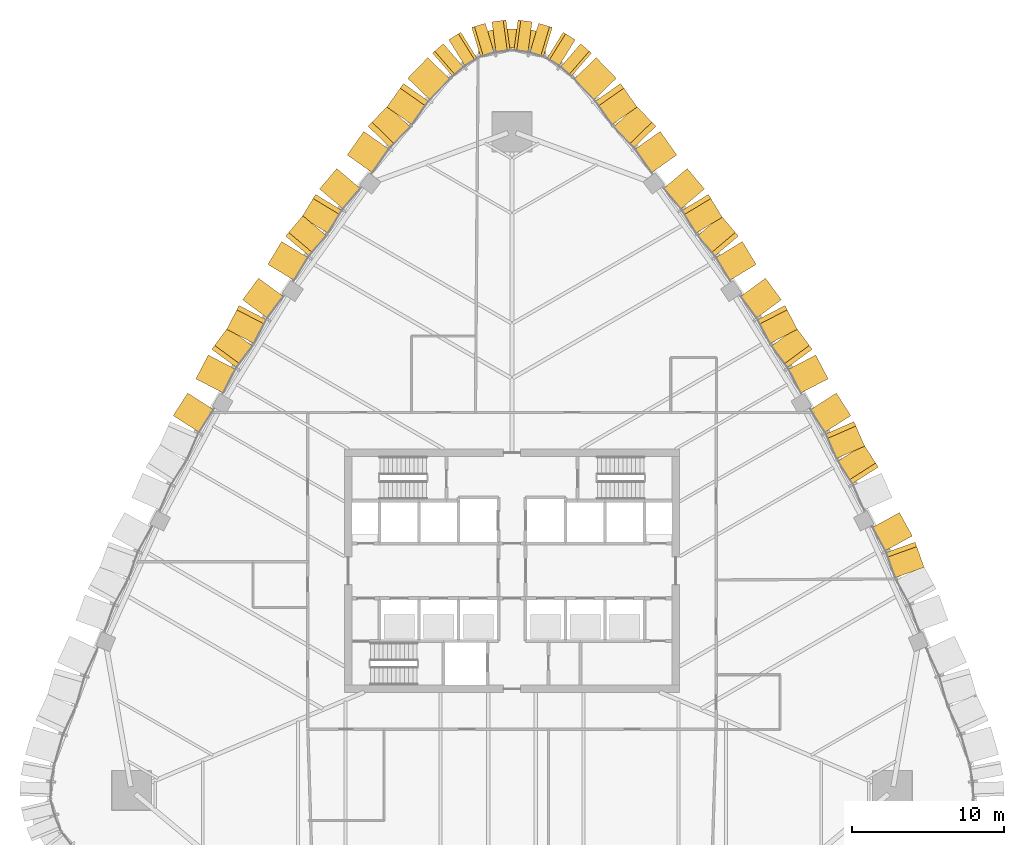
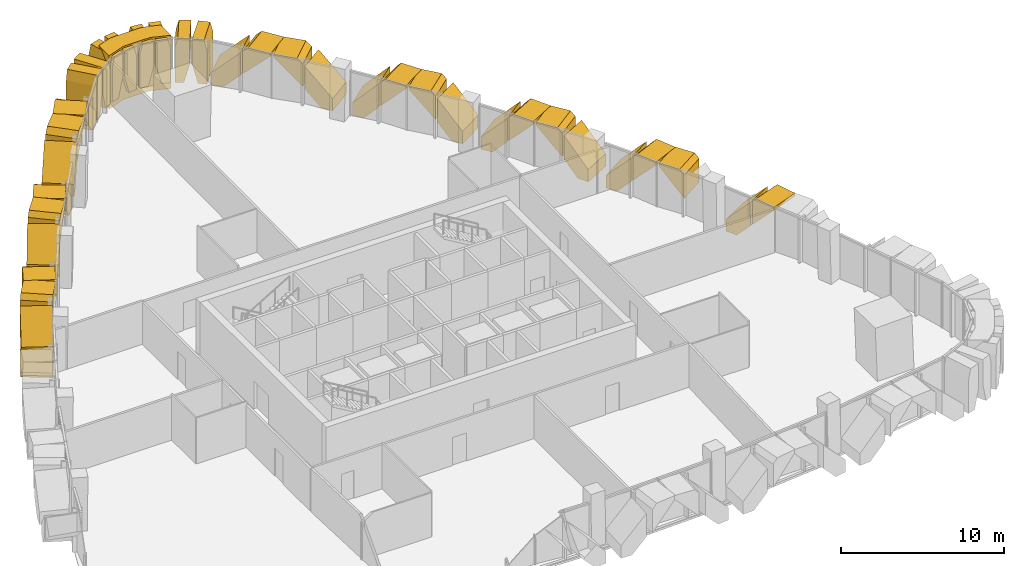
# One storey, part 17 of 18: 39 coverings.
"""IFC4 building model written with IfcOpenShell, lengths in metres."""

from ifc_helpers import new_model, si_unit, direction, frame, origin, place, context, subcontext, project, spatial, polyline, outline, extrude, material, layer, layer_set, type_object, element, save


model = new_model("IFC4")

# Units and contexts
model_context = context("Model", 3, precision=1e-05, world=origin(), true_north=direction((0.0, 1.0)))
body_context = subcontext(model_context, "Body", "Model", "MODEL_VIEW")
ifc_project = project(units=[si_unit("LENGTHUNIT", "METRE"), si_unit("AREAUNIT", "SQUARE_METRE"), si_unit("VOLUMEUNIT", "CUBIC_METRE"), si_unit("PLANEANGLEUNIT", "RADIAN"), si_unit("MASSUNIT", "GRAM", prefix="KILO")], contexts=[model_context])

# Site, building, storey
site_placement = place(None, origin())
site = spatial("IfcSite", under=ifc_project, at=site_placement, CompositionType="ELEMENT")
building_placement = place(site_placement, origin())
building = spatial("IfcBuilding", under=site, at=building_placement, Name="Sierra Prisma Convention Tower", CompositionType="ELEMENT")
storey_placement = place(building_placement, frame((0.0, 0.0, 129.800048828125)))
storey = spatial("IfcBuildingStorey", under=building, at=storey_placement, Name="L27", CompositionType="ELEMENT", Elevation=129.800048828125)

# Coverings
ifc_material_1 = material(Name="Aluminium composite bronze anodised", Category="aluminium")
ifc_layer_1 = layer(ifc_material_1, 1.199951171875)
ifc_layer_set_1 = layer_set([ifc_layer_1], Name="Bronze corner pier")
covering_type_1 = type_object("IfcCoveringType", Name="Bronze corner pier", PredefinedType="CLADDING", material=ifc_layer_set_1)
covering_1_placement = place(storey_placement, frame((0.0, 0.0, -0.60009765625)))
element("IfcCovering", 1, at=covering_1_placement, inside=storey, type_object=covering_type_1, Name="Corner pier N L27.1", PredefinedType="CLADDING", context=body_context, shape_type="SweptSolid", body=[
    extrude(outline(polyline([(-1.342041015625, 35.5), (-0.943603515625, 35.568115234375), (0.943603515625, 35.568115234375), (1.342041015625, 35.5), (2.199951171875, 35.19775390625), (2.199951171875, 33.925537109375), (0.943603515625, 34.3681640625), (-0.943603515625, 34.3681640625), (-2.199951171875, 33.925537109375), (-2.199951171875, 35.19775390625), (-1.342041015625, 35.5)])), origin(), (0.0, 0.0, 1.0), 4.0),
])
ifc_material_2 = material(Name="Aluminium 6063-T6 bronze anodised", Category="aluminium")
ifc_layer_2 = layer(ifc_material_2, 2.0)
ifc_layer_set_2 = layer_set([ifc_layer_2], Name="Bronze crystal chevron frame")
covering_type_2 = type_object("IfcCoveringType", Name="Bronze crystal chevron frame", PredefinedType="CLADDING", material=ifc_layer_set_2)
covering_2_placement = place(storey_placement, frame((27.051513671875, 0.23388671875, 3.280029296875), z_axis=(0.941174869557, 0.337919907883, -2.7778389e-05), x_axis=(-2.6144321e-05, -9.386871e-06, -0.999999999614)))
element("IfcCovering", 2, at=covering_2_placement, inside=storey, type_object=covering_type_2, Name="CW-2 chevron frame NE2.2.1", PredefinedType="CLADDING", context=body_context, shape_type="SweptSolid", body=[
    extrude(outline(polyline([(0.0, 0.0), (0.22070312491484845, 0.0), (2.087646483827261, 1.751989953215238), (0.3339843751288577, 1.751989953215238), (-1.5234969791408701e-09, 1.4386119056222895), (0.0, 0.0)])), origin(), (0.0, 0.0, -1.0), 2.0),
])
covering_3_placement = place(storey_placement, frame((25.4345703125, 3.823486328125, 0.0), z_axis=(0.876753979127, 0.480939143847, -1.08958e-06), x_axis=(9.55293e-07, 5.24022e-07, 0.999999999999)))
element("IfcCovering", 3, at=covering_3_placement, inside=storey, type_object=covering_type_2, Name="CW-2 chevron frame NE2.2.2", PredefinedType="CLADDING", context=body_context, shape_type="SweptSolid", body=[
    extrude(outline(polyline([(0.0, 0.0), (0.9406738281244417, -4.9798857815106494e-23), (2.807373046874585, 1.7523473425802052), (1.0539550781256257, 1.7523473425802052), (-3.198383210947189e-12, 0.7629778896511461), (0.0, 0.0)])), origin(), (0.0, 0.0, -1.0), 2.0),
])
covering_4_placement = place(storey_placement, frame((24.0400390625, 6.807373046875, 2.943603515625), z_axis=(0.842593105272, 0.538550698022, 6.7879018e-05), x_axis=(5.7194393e-05, 3.6556293e-05, -0.999999997696)))
element("IfcCovering", 4, at=covering_4_placement, inside=storey, type_object=covering_type_2, Name="CW-2 chevron frame NE3.1.2", PredefinedType="CLADDING", context=body_context, shape_type="SweptSolid", body=[
    extrude(outline(polyline([(0.0, 0.0), (1.749511714719509, 0.0), (-0.11791992315344074, 1.7602405985251268), (-0.33642578202505125, 1.7602405985251268), (-0.33642579109281256, 0.31708553436900166), (0.0, 0.0)])), origin(), (0.0, 0.0, -1.0), 2.0),
])
covering_5_placement = place(storey_placement, frame((23.150390625, 8.180908203125, 3.280029296875), z_axis=(0.916510714683, 0.400010135561, 3.6338637e-05), x_axis=(3.330475e-05, 1.4535823e-05, -0.99999999934)))
element("IfcCovering", 5, at=covering_5_placement, inside=storey, type_object=covering_type_2, Name="CW-2 chevron frame NE3.2.1", PredefinedType="CLADDING", context=body_context, shape_type="SweptSolid", body=[
    extrude(outline(polyline([(0.0, 0.0), (0.21850585923073187, -3.701633241174799e-22), (2.0859374990670125, 1.760237314048037), (0.33642578147212454, 1.760237314048037), (-2.5987604421075087e-09, 1.4432810123669826), (0.0, 0.0)])), origin(), (0.0, 0.0, -1.0), 2.0),
])
covering_6_placement = place(storey_placement, frame((21.28955078125, 11.668701171875, 0.0), z_axis=(0.842637121884, 0.53848182858, -3.3368891e-05), x_axis=(2.8117867e-05, 1.7968542e-05, 0.999999999443)))
element("IfcCovering", 6, at=covering_6_placement, inside=storey, type_object=covering_type_2, Name="CW-2 chevron frame NE3.2.2", PredefinedType="CLADDING", context=body_context, shape_type="SweptSolid", body=[
    extrude(outline(polyline([(0.0, 0.0), (0.9382324213526472, -1.5894275470206427e-21), (2.805664062113978, 1.7604463127327152), (1.0561523443380036, 1.7604463127327152), (-2.9927571839828595e-09, 0.7645507151804737), (0.0, 0.0)])), origin(), (0.0, 0.0, -1.0), 2.0),
])
covering_7_placement = place(storey_placement, frame((20.75, 12.60302734375, 0.0), z_axis=(0.887672926512, 0.460474511198, 8.60942e-06), x_axis=(-0.460474511216, 0.887672926545, -2.61e-10)))
element("IfcCovering", 7, at=covering_7_placement, inside=storey, type_object=covering_type_2, Name="CW-2 chevron frame NE4.1.1", PredefinedType="CLADDING", context=body_context, shape_type="SweptSolid", body=[
    extrude(outline(polyline([(0.0, 0.0), (0.7645837355878089, 0.0), (1.760225123534141, 1.0561523442477896), (1.7602251230782853, 2.8056640629329506), (-2.4446746216399515e-10, 0.9382324218402281), (0.0, 0.0)])), origin(), (0.0, 0.0, -1.0), 2.0),
])
covering_8_placement = place(storey_placement, frame((19.705078125, 14.5419921875, 2.943603515625), z_axis=(0.804736262888, 0.593632501694, 1.1197629e-05), x_axis=(9.011138e-06, 6.647276e-06, -0.999999999937)))
element("IfcCovering", 8, at=covering_8_placement, inside=storey, type_object=covering_type_2, Name="CW-2 chevron frame NE4.1.2", PredefinedType="CLADDING", context=body_context, shape_type="SweptSolid", body=[
    extrude(outline(polyline([(0.0, 0.0), (1.749511718640317, 0.0), (-0.11791992190979059, 1.760211646723437), (-0.3364257812710917, 1.760211646723437), (-0.3364257815178553, 0.3170507943372986), (0.0, 0.0)])), origin(), (0.0, 0.0, -1.0), 2.0),
])
covering_9_placement = place(storey_placement, frame((18.725830078125, 15.85302734375, 3.280029296875), z_axis=(0.887673947193, 0.46047254205, -3.863248e-05), x_axis=(-3.4293046e-05, -1.7789196e-05, -0.999999999254)))
element("IfcCovering", 9, at=covering_9_placement, inside=storey, type_object=covering_type_2, Name="CW-2 chevron frame NE4.2.1", PredefinedType="CLADDING", context=body_context, shape_type="SweptSolid", body=[
    extrude(outline(polyline([(0.0, 0.0), (0.21850585921194346, -7.403266482349598e-22), (2.085937498945507, 1.760225123784837), (0.3364257815010525, 1.760225123784837), (-2.937204274748974e-09, 1.4433396334818482), (0.0, 0.0)])), origin(), (0.0, 0.0, -1.0), 2.0),
])
covering_10_placement = place(storey_placement, frame((16.6357421875, 19.20849609375, 0.0), z_axis=(0.804677174173, 0.593712594445, -2.3696177e-05), x_axis=(1.9067773e-05, 1.4068719e-05, 0.999999999719)))
element("IfcCovering", 10, at=covering_10_placement, inside=storey, type_object=covering_type_2, Name="CW-2 chevron frame NE4.2.2", PredefinedType="CLADDING", context=body_context, shape_type="SweptSolid", body=[
    extrude(outline(polyline([(0.0, 0.0), (0.9382324216115872, 0.0), (2.805664062305336, 1.76035658774369), (1.0561523440465195, 1.76035658774369), (-1.509192024230435e-09, 0.7645259259935797), (0.0, 0.0)])), origin(), (0.0, 0.0, -1.0), 2.0),
])
covering_11_placement = place(storey_placement, frame((16.028564453125, 20.115234375, 0.0), z_axis=(0.854900883628, 0.518791362294, -3.9763726e-05), x_axis=(-0.518791362705, 0.854900884304, -5.581e-09)))
element("IfcCovering", 11, at=covering_11_placement, inside=storey, type_object=covering_type_2, Name="CW-2 chevron frame NE5.1.1", PredefinedType="CLADDING", context=body_context, shape_type="SweptSolid", body=[
    extrude(outline(polyline([(0.0, 0.0), (0.7631286018471978, 0.0), (1.7525648773399827, 1.0541992293644467), (1.752564867555563, 2.8073730561034274), (-5.24851477428166e-09, 0.9404296867565177), (0.0, 0.0)])), origin(), (0.0, 0.0, -1.0), 2.0),
])
covering_12_placement = place(storey_placement, frame((14.860107421875, 21.973388671875, 2.94580078125), z_axis=(0.763249867057, 0.646103427648, -3.4913567e-05), x_axis=(-2.6647776e-05, -2.2557776e-05, -0.999999999391)))
element("IfcCovering", 12, at=covering_12_placement, inside=storey, type_object=covering_type_2, Name="CW-2 chevron frame NE5.1.2", PredefinedType="CLADDING", context=body_context, shape_type="SweptSolid", body=[
    extrude(outline(polyline([(0.0, 0.0), (1.753173827056478, 0.0), (-0.11352539096321895, 1.7525570613798647), (-0.33422851582870516, 1.7525570613798647), (-0.3342285182347766, 0.31372411262547817), (0.0, 0.0)])), origin(), (0.0, 0.0, -1.0), 2.0),
])
covering_13_placement = place(storey_placement, frame((13.80029296875, 23.210205078125, 3.280029296875), z_axis=(0.854919916174, 0.51875999503, -6.6967373e-05), x_axis=(-5.7251741e-05, -3.4739994e-05, -0.999999997758)))
element("IfcCovering", 13, at=covering_13_placement, inside=storey, type_object=covering_type_2, Name="CW-2 chevron frame NE5.2.1", PredefinedType="CLADDING", context=body_context, shape_type="SweptSolid", body=[
    extrude(outline(polyline([(0.0, 0.0), (0.2207031245051142, 0.0), (2.0874023405682784, 1.7525648835818377), (0.33422851637444545, 1.7525648835818377), (-8.852105964344723e-09, 1.4389137635805276), (0.0, 0.0)])), origin(), (0.0, 0.0, -1.0), 2.0),
])
covering_14_placement = place(storey_placement, frame((11.499755859375, 26.406005859375, 0.0), z_axis=(0.763252194667, 0.646100678927, 5.081283e-06), x_axis=(-3.8783e-06, -3.28302e-06, 0.999999999987)))
element("IfcCovering", 14, at=covering_14_placement, inside=storey, type_object=covering_type_2, Name="CW-2 chevron frame NE5.2.2", PredefinedType="CLADDING", context=body_context, shape_type="SweptSolid", body=[
    extrude(outline(polyline([(0.0, 0.0), (0.9404296874878594, 3.9828746494428283e-22), (2.8073730468659766, 1.7525570614105268), (1.0541992187636096, 1.7525570614105268), (-6.954731436862644e-11, 0.7628988659851446), (0.0, 0.0)])), origin(), (0.0, 0.0, -1.0), 2.0),
])
covering_15_placement = place(storey_placement, frame((10.815185546875, 27.295166015625, 0.0), z_axis=(0.818312882658, 0.574773020379, 3.3467106e-05), x_axis=(-0.574773020701, 0.818312883117, -3.674e-09)))
element("IfcCovering", 15, at=covering_15_placement, inside=storey, type_object=covering_type_2, Name="CW-2 chevron frame NE6.1.1", PredefinedType="CLADDING", context=body_context, shape_type="SweptSolid", body=[
    extrude(outline(polyline([(0.0, 0.0), (0.7914517130062815, 1.6940658945086007e-21), (1.8888560716954432, 1.0898437575507993), (1.888856065481394, 2.7810058659787087), (-3.326359782521385e-09, 0.9052734369930256), (0.0, 0.0)])), origin(), (0.0, 0.0, -1.0), 2.0),
])
covering_16_placement = place(storey_placement, frame((9.447021484375, 29.1826171875, 2.91015625), z_axis=(0.718265575696, 0.695769043746, 2.3114108e-05), x_axis=(1.6602068e-05, 1.6082081e-05, -0.999999999733)))
element("IfcCovering", 16, at=covering_16_placement, inside=storey, type_object=covering_type_2, Name="CW-2 chevron frame NE6.1.2", PredefinedType="CLADDING", context=body_context, shape_type="SweptSolid", body=[
    extrude(outline(polyline([(0.0, 0.0), (1.6911621089232383, -2.8649400515774114e-21), (-0.18457031264830467, 1.8888492599356603), (-0.3698730469738045, 1.8888492599356603), (-0.3698730479763284, 0.37224408232651074), (0.0, 0.0)])), origin(), (0.0, 0.0, -1.0), 2.0),
])
covering_17_placement = place(storey_placement, frame((8.212158203125, 30.443603515625, 3.280029296875), z_axis=(0.818261614463, 0.57484600528, -2.2565079e-05), x_axis=(-1.8464138e-05, -1.2971446e-05, -0.999999999745)))
element("IfcCovering", 17, at=covering_17_placement, inside=storey, type_object=covering_type_2, Name="CW-2 chevron frame NE6.2.1", PredefinedType="CLADDING", context=body_context, shape_type="SweptSolid", body=[
    extrude(outline(polyline([(0.0, 0.0), (0.18530273432782352, -3.13915042463874e-22), (2.0610351559136113, 1.8886563005380208), (0.36987304696916656, 1.8886563005380208), (-9.554636314583866e-10, 1.5162611731285076), (0.0, 0.0)])), origin(), (0.0, 0.0, -1.0), 2.0),
])
covering_18_placement = place(storey_placement, frame((5.52978515625, 33.6875, 0.0), z_axis=(0.718241811617, 0.695793573848, 5.1348104e-05), x_axis=(-3.6880356e-05, -3.5727681e-05, 0.999999998682)))
element("IfcCovering", 18, at=covering_18_placement, inside=storey, type_object=covering_type_2, Name="CW-2 chevron frame NE6.2.2", PredefinedType="CLADDING", context=body_context, shape_type="SweptSolid", body=[
    extrude(outline(polyline([(0.0, 0.0), (0.9052734363065654, 3.0671857113466266e-21), (2.7810058585822737, 1.8888492591260166), (1.089843751436756, 1.8888492591260166), (-6.845834217390702e-09, 0.791449522538984), (0.0, 0.0)])), origin(), (0.0, 0.0, -1.0), 2.0),
])
covering_19_placement = place(storey_placement, frame((5.2138671875, 33.986328125, 0.0), z_axis=(0.654457809805, 0.756098522141, -1.484565e-06), x_axis=(-0.756098522141, 0.654457809806, 1.79e-10)))
element("IfcCovering", 19, at=covering_19_placement, inside=storey, type_object=covering_type_2, Name="CW-2 chevron frame N1.1.1", PredefinedType="CLADDING", context=body_context, shape_type="SweptSolid", body=[
    extrude(outline(polyline([(0.0, 0.0), (0.5606047662537457, -1.0587911840678754e-22), (0.9318691271549256, 1.40527343732009), (0.9318691274910578, 3.2800292966930242), (0.18605644488654083, 3.280029296955989), (4.6180410326801246e-10, 2.5756835937471614), (0.0, 0.0)])), origin(), (0.0, 0.0, -1.0), 2.0),
])
covering_20_placement = place(storey_placement, frame((4.152099609375, 34.859130859375, 3.280029296875), z_axis=(0.528201993473, 0.849118751456, -4.126476e-06), x_axis=(-2.179613e-06, -3.503868e-06, -0.999999999991)))
element("IfcCovering", 20, at=covering_20_placement, inside=storey, type_object=covering_type_2, Name="CW-2 chevron frame N1.1.2", PredefinedType="CLADDING", context=body_context, shape_type="SweptSolid", body=[
    extrude(outline(polyline([(0.0, 0.0), (1.8747558593590385, -7.939899904743374e-22), (3.2800292974461165, 0.37138858096993776), (3.280029296926922, 0.9318479229352581), (0.7043457031988509, 0.9318479229352581), (5.313492382046588e-10, 0.7457528947203869), (0.0, 0.0)])), origin(), (0.0, 0.0, -1.0), 2.0),
])
covering_21_placement = place(storey_placement, frame((2.6435546875, 35.67431640625, 0.0), z_axis=(0.286061927831, 0.958211131954, 6.788844e-06), x_axis=(-0.958211131976, 0.286061927837, -6.16e-10)))
element("IfcCovering", 21, at=covering_21_placement, inside=storey, type_object=covering_type_2, Name="CW-2 chevron frame N2.1.1", PredefinedType="CLADDING", context=body_context, shape_type="SweptSolid", body=[
    extrude(outline(polyline([(0.0, 0.0), (0.5605486271815137, 2.117582368135751e-22), (0.9320107281291738, 1.4052734381216363), (0.9320107269735513, 3.280029297453434), (0.18599990681866152, 3.280029296806633), (-1.5876831142631948e-09, 2.5756835936906453), (0.0, 0.0)])), origin(), (0.0, 0.0, -1.0), 2.0),
])
covering_22_placement = place(storey_placement, frame((1.31689453125, 36.0341796875, 3.280029296875), z_axis=(0.132548663786, 0.991176498608, 1.8306857e-05), x_axis=(2.426549e-06, 1.8145326e-05, -0.999999999832)))
element("IfcCovering", 22, at=covering_22_placement, inside=storey, type_object=covering_type_2, Name="CW-2 chevron frame N2.1.2", PredefinedType="CLADDING", context=body_context, shape_type="SweptSolid", body=[
    extrude(outline(polyline([(0.0, 0.0), (1.8747558590608462, 0.0), (3.280029298411775, 0.37121040374567), (3.2800292967889044, 0.9318091598511893), (0.7043457034705131, 0.9318091598511893), (3.089639269287256e-10, 0.7458409783035103), (0.0, 0.0)])), origin(), (0.0, 0.0, -1.0), 2.0),
])
covering_23_placement = place(storey_placement, frame((-0.393310546875, 36.15771484375, 0.0), z_axis=(-0.132548663786, 0.991176498608, 1.8306857e-05), x_axis=(-0.991176498774, -0.132548663809, -2.895e-09)))
element("IfcCovering", 23, at=covering_23_placement, inside=storey, type_object=covering_type_2, Name="CW-2 chevron frame N3.1.1", PredefinedType="CLADDING", context=body_context, shape_type="SweptSolid", body=[
    extrude(outline(polyline([(0.0, 0.0), (0.5605987561055193, 0.0), (0.9318091557830799, 1.4052734404255416), (0.9318091503558713, 3.2800292994863876), (0.18596817205236113, 3.2800292970182974), (-7.456315912362872e-09, 2.5756835933183915), (0.0, 0.0)])), origin(), (0.0, 0.0, -1.0), 2.0),
])
covering_24_placement = place(storey_placement, frame((-1.75048828125, 35.94091796875, 3.280029296875), z_axis=(-0.286061927831, 0.958211131954, 6.788844e-06), x_axis=(-1.94203e-06, 6.505146e-06, -0.999999999977)))
element("IfcCovering", 24, at=covering_24_placement, inside=storey, type_object=covering_type_2, Name="CW-2 chevron frame N3.1.2", PredefinedType="CLADDING", context=body_context, shape_type="SweptSolid", body=[
    extrude(outline(polyline([(0.0, 0.0), (1.874755859331798, 0.0), (3.2800292972244605, 0.37146210181388817), (3.2800292968789315, 0.9320107289954018), (0.7043457031882858, 0.9320107289954018), (1.8695072065870622e-10, 0.7460108201548897), (0.0, 0.0)])), origin(), (0.0, 0.0, -1.0), 2.0),
])
covering_25_placement = place(storey_placement, frame((-3.36083984375, 35.351318359375, 0.0), z_axis=(-0.528201993473, 0.849118751456, -4.126476e-06), x_axis=(-0.849118751463, -0.528201993478, -9.26e-10)))
element("IfcCovering", 25, at=covering_25_placement, inside=storey, type_object=covering_type_2, Name="CW-2 chevron frame N4.1.1", PredefinedType="CLADDING", context=body_context, shape_type="SweptSolid", body=[
    extrude(outline(polyline([(0.0, 0.0), (0.5604593419653203, 0.0), (0.9318479216334498, 1.4052734384311227), (0.9318479198967254, 3.2800292977901613), (0.1860950251763386, 3.280029296567966), (-2.3860452745395187e-09, 2.575683593728071), (0.0, 0.0)])), origin(), (0.0, 0.0, -1.0), 2.0),
])
covering_26_placement = place(storey_placement, frame((-4.50927734375, 34.59619140625, 3.280029296875), z_axis=(-0.654457809805, 0.756098522141, -1.484565e-06), x_axis=(9.71585e-07, -1.122478e-06, -0.999999999999)))
element("IfcCovering", 26, at=covering_26_placement, inside=storey, type_object=covering_type_2, Name="CW-2 chevron frame N4.1.2", PredefinedType="CLADDING", context=body_context, shape_type="SweptSolid", body=[
    extrude(outline(polyline([(0.0, 0.0), (1.8747558593729343, -1.9849749761858436e-22), (3.2800292967595897, 0.37126436064922336), (3.2800292968601026, 0.9318691269029691), (0.7043457031129408, 0.9318691269029691), (-1.292452195266963e-10, 0.7458126826045172), (0.0, 0.0)])), origin(), (0.0, 0.0, -1.0), 2.0),
])
covering_27_placement = place(storey_placement, frame((-5.52978515625, 33.6875, 0.0), z_axis=(-0.718241811617, 0.695793573848, 5.1348104e-05), x_axis=(-0.695793574766, -0.718241812564, -8.65e-09)))
element("IfcCovering", 27, at=covering_27_placement, inside=storey, type_object=covering_type_2, Name="CW-2 chevron frame NW1.1.1", PredefinedType="CLADDING", context=body_context, shape_type="SweptSolid", body=[
    extrude(outline(polyline([(0.0, 0.0), (0.7914495225389839, 0.0), (1.888849249699149, 1.0898437677748147), (1.8888492350710329, 2.781005874920332), (-7.830381710862313e-09, 0.9052734363065652), (0.0, 0.0)])), origin(), (0.0, 0.0, -1.0), 2.0),
])
covering_28_placement = place(storey_placement, frame((-7.12646484375, 31.989013671875, 2.91015625), z_axis=(-0.818261614463, 0.57484600528, -2.2565079e-05), x_axis=(1.8464138e-05, -1.2971446e-05, -0.999999999745)))
element("IfcCovering", 28, at=covering_28_placement, inside=storey, type_object=covering_type_2, Name="CW-2 chevron frame NW1.1.2", PredefinedType="CLADDING", context=body_context, shape_type="SweptSolid", body=[
    extrude(outline(polyline([(0.0, 0.0), (1.6911621089444449, 2.8649400515774114e-21), (-0.184570312641343, 1.8886563005380208), (-0.36987304696916656, 1.8886563005380208), (-0.36987304792463016, 0.3723951274095134), (0.0, 0.0)])), origin(), (0.0, 0.0, -1.0), 2.0),
])
covering_29_placement = place(storey_placement, frame((-8.1328125, 30.539306640625, 3.280029296875), z_axis=(-0.718265575696, 0.695769043746, 2.3114108e-05), x_axis=(-1.6602068e-05, 1.6082081e-05, -0.999999999733)))
element("IfcCovering", 29, at=covering_29_placement, inside=storey, type_object=covering_type_2, Name="CW-2 chevron frame NW1.2.1", PredefinedType="CLADDING", context=body_context, shape_type="SweptSolid", body=[
    extrude(outline(polyline([(0.0, 0.0), (0.1853027343254999, 3.13915042463874e-22), (2.061035155897043, 1.8888492599356603), (0.3698730469738045, 1.8888492599356603), (-1.002523874347658e-09, 1.5166051776091496), (0.0, 0.0)])), origin(), (0.0, 0.0, -1.0), 2.0),
])
covering_30_placement = place(storey_placement, frame((-10.815185546875, 27.295166015625, 0.0), z_axis=(-0.818312882658, 0.574773020379, 3.3467106e-05), x_axis=(2.7386564e-05, -1.923599e-05, 0.99999999944)))
element("IfcCovering", 30, at=covering_30_placement, inside=storey, type_object=covering_type_2, Name="CW-2 chevron frame NW1.2.2", PredefinedType="CLADDING", context=body_context, shape_type="SweptSolid", body=[
    extrude(outline(polyline([(0.0, 0.0), (0.9052734369930255, 0.0), (2.7810058590382476, 1.888856075699993), (1.0898437506103382, 1.888856075699993), (-2.9081303398203643e-09, 0.7914517130062814), (0.0, 0.0)])), origin(), (0.0, 0.0, -1.0), 2.0),
])
covering_31_placement = place(storey_placement, frame((-11.500732421875, 26.404541015625, 0.0), z_axis=(-0.763211502774, 0.646148745933, -1.2753507e-05), x_axis=(-0.646148745985, -0.763211502836, -5.74e-10)))
element("IfcCovering", 31, at=covering_31_placement, inside=storey, type_object=covering_type_2, Name="CW-2 chevron frame NW2.1.1", PredefinedType="CLADDING", context=body_context, shape_type="SweptSolid", body=[
    extrude(outline(polyline([(0.0, 0.0), (0.7628988653341958, 0.0), (1.7520266439669319, 1.0539550792170551), (1.7520266429597913, 2.807373047824457), (-5.403108965242558e-10, 0.9406738280484988), (0.0, 0.0)])), origin(), (0.0, 0.0, -1.0), 2.0),
])
covering_32_placement = place(storey_placement, frame((-12.891845703125, 24.70751953125, 2.946044921875), z_axis=(-0.854935676898, 0.518734024327, 1.9333463e-05), x_axis=(-1.6528868e-05, 1.0028925e-05, -0.999999999813)))
element("IfcCovering", 32, at=covering_32_placement, inside=storey, type_object=covering_type_2, Name="CW-2 chevron frame NW2.1.2", PredefinedType="CLADDING", context=body_context, shape_type="SweptSolid", body=[
    extrude(outline(polyline([(0.0, 0.0), (1.7536621090472557, 0.0), (-0.11328125010366633, 1.75222951351372), (-0.33398437506241885, 1.75222951351372), (-0.33398437580040263, 0.3135244711120486), (0.0, 0.0)])), origin(), (0.0, 0.0, -1.0), 2.0),
])
covering_33_placement = place(storey_placement, frame((-13.728271484375, 23.310302734375, 3.280029296875), z_axis=(-0.763199412304, 0.646163024094, -5.7900668e-05), x_axis=(4.4189756e-05, -3.7413271e-05, -0.999999998324)))
element("IfcCovering", 33, at=covering_33_placement, inside=storey, type_object=covering_type_2, Name="CW-2 chevron frame NW2.2.1", PredefinedType="CLADDING", context=body_context, shape_type="SweptSolid", body=[
    extrude(outline(polyline([(0.0, 0.0), (0.2207031246300478, 0.0), (2.0876464819952747, 1.752026644517152), (0.33398437555983923, 1.752026644517152), (-6.619034418546381e-09, 1.4386466217672726), (0.0, 0.0)])), origin(), (0.0, 0.0, -1.0), 2.0),
])
covering_34_placement = place(storey_placement, frame((-16.028564453125, 20.115234375, 0.0), z_axis=(-0.8549423011, 0.518723106832, 1.5103885e-05), x_axis=(1.291295e-05, -7.834734e-06, 0.999999999886)))
element("IfcCovering", 34, at=covering_34_placement, inside=storey, type_object=covering_type_2, Name="CW-2 chevron frame NW2.2.2", PredefinedType="CLADDING", context=body_context, shape_type="SweptSolid", body=[
    extrude(outline(polyline([(0.0, 0.0), (0.9406738280177033, 0.0), (2.8073730467952167, 1.752229513453307), (1.0539550782452178, 1.752229513453307), (-6.145960146727806e-10, 0.7630019494801679), (0.0, 0.0)])), origin(), (0.0, 0.0, -1.0), 2.0),
])
covering_35_placement = place(storey_placement, frame((-16.635986328125, 19.208251953125, 0.0), z_axis=(-0.804733773462, 0.593635876475, 3.422304e-06), x_axis=(-0.593635876478, -0.804733773467, -4.1e-11)))
element("IfcCovering", 35, at=covering_35_placement, inside=storey, type_object=covering_type_2, Name="CW-2 chevron frame NW3.1.1", PredefinedType="CLADDING", context=body_context, shape_type="SweptSolid", body=[
    extrude(outline(polyline([(0.0, 0.0), (0.7645259285910806, -2.117582368135751e-22), (1.76021164668027, 1.0561523438286615), (1.7602116466082338, 2.8056640625684164), (-3.863166461992403e-11, 0.9382324218695057), (0.0, 0.0)])), origin(), (0.0, 0.0, -1.0), 2.0),
])
covering_36_placement = place(storey_placement, frame((-17.915283203125, 17.41552734375, 2.943603515625), z_axis=(-0.887669538378, 0.460481042502, 1.1469229e-05), x_axis=(-1.0180885e-05, 5.281363e-06, -0.999999999934)))
element("IfcCovering", 36, at=covering_36_placement, inside=storey, type_object=covering_type_2, Name="CW-2 chevron frame NW3.1.2", PredefinedType="CLADDING", context=body_context, shape_type="SweptSolid", body=[
    extrude(outline(polyline([(0.0, 0.0), (1.7495117186349318, 1.481894067388749e-21), (-0.11791992191149875, 1.7602251238285909), (-0.3364257812721273, 1.7602251238285909), (-0.33642578153100666, 0.31710220733686356), (0.0, 0.0)])), origin(), (0.0, 0.0, -1.0), 2.0),
])
covering_37_placement = place(storey_placement, frame((-18.66015625, 15.958251953125, 3.280029296875), z_axis=(-0.804693385684, 0.593690618858, 6.4158732e-05), x_axis=(-5.1628108e-05, 3.8090438e-05, -0.999999997942)))
element("IfcCovering", 37, at=covering_37_placement, inside=storey, type_object=covering_type_2, Name="CW-2 chevron frame NW3.2.1", PredefinedType="CLADDING", context=body_context, shape_type="SweptSolid", body=[
    extrude(outline(polyline([(0.0, 0.0), (0.2185058589252775, 0.0), (2.085937497091627, 1.7600151840583078), (0.336425781942422, 1.7600151840583078), (-8.101035277248729e-09, 1.44316084703076), (0.0, 0.0)])), origin(), (0.0, 0.0, -1.0), 2.0),
])
covering_38_placement = place(storey_placement, frame((-20.75, 12.60302734375, 0.0), z_axis=(-0.887721351384, 0.460381148444, -2.1309476e-05), x_axis=(-1.8916877e-05, 9.810481e-06, 0.999999999773)))
element("IfcCovering", 38, at=covering_38_placement, inside=storey, type_object=covering_type_2, Name="CW-2 chevron frame NW3.2.2", PredefinedType="CLADDING", context=body_context, shape_type="SweptSolid", body=[
    extrude(outline(polyline([(0.0, 0.0), (0.9382324216619773, 0.0), (2.8056640623425753, 1.7601127153762284), (1.0561523439897962, 1.7601127153762284), (-1.220487883015304e-09, 0.7645837337927777), (0.0, 0.0)])), origin(), (0.0, 0.0, -1.0), 2.0),
])
covering_39_placement = place(storey_placement, frame((-21.28955078125, 11.668701171875, 0.0), z_axis=(-0.842602765834, 0.538535585041, -5.1516553e-05), x_axis=(-0.538535585755, -0.842602766952, -9.33e-09)))
element("IfcCovering", 39, at=covering_39_placement, inside=storey, type_object=covering_type_2, Name="CW-2 chevron frame NW4.1.1", PredefinedType="CLADDING", context=body_context, shape_type="SweptSolid", body=[
    extrude(outline(polyline([(0.0, 0.0), (0.7645507079027856, -3.3881317890172014e-21), (1.7602405879786018, 1.0561523615742923), (1.760240571655899, 2.8056640780027293), (-8.753578940113765e-09, 0.9382324206299866), (0.0, 0.0)])), origin(), (0.0, 0.0, -1.0), 2.0),
])

save(model, "model.ifc")
